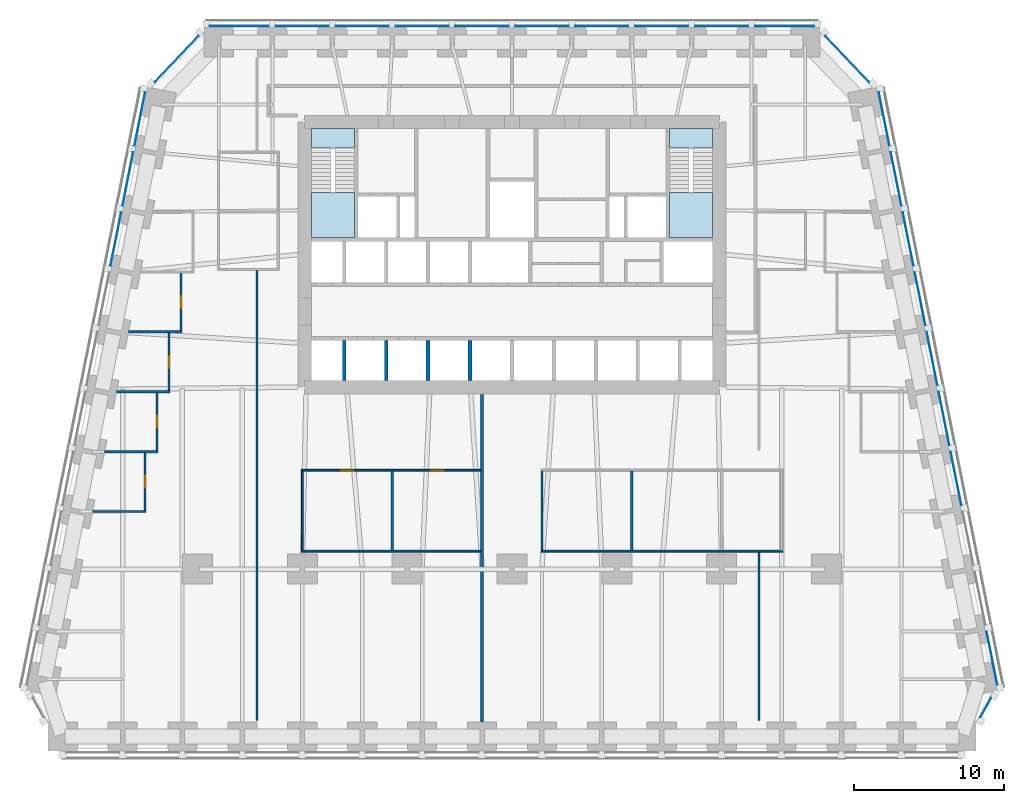
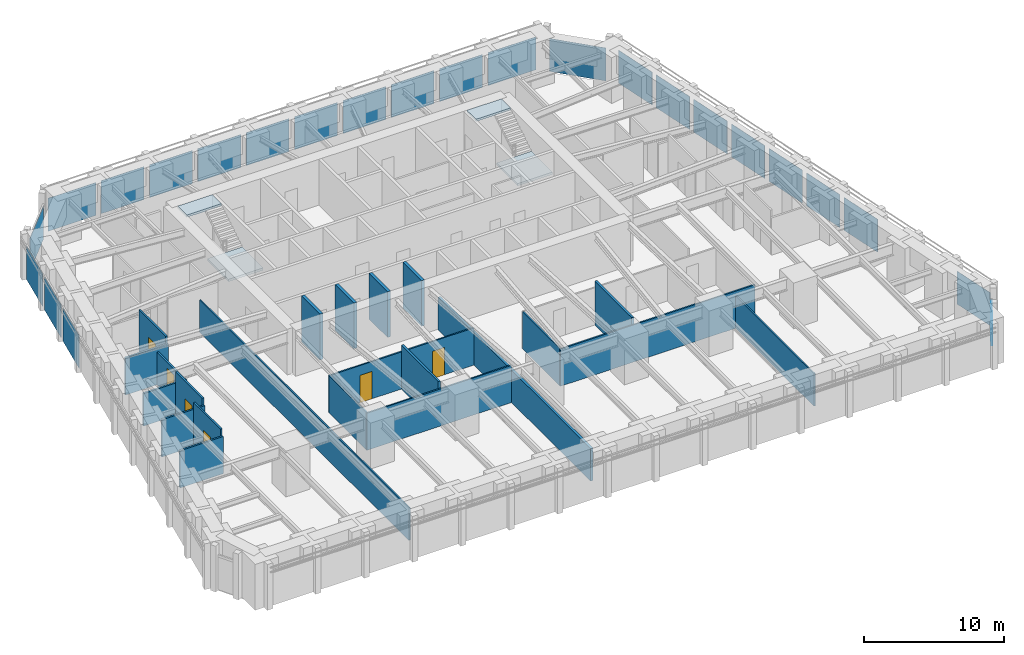
# One storey, part 5 of 10: 24 plates, 22 walls, 6 doors, 4 slabs, 6 openings, 8 elements without a shape of their own.
"""IFC4 building model written with IfcOpenShell, lengths in metres."""

from ifc_helpers import new_model, si_unit, direction, frame, frame_2d, origin, origin_2d, place, context, subcontext, project, spatial, polyline, rectangle, outline, extrude, material, layer, layer_set, type_object, element, fill, aggregate, save


model = new_model("IFC4")

# Units and contexts
model_context = context("Model", 3, precision=1e-05, world=origin(), true_north=direction((0.0, 1.0)))
body_context = subcontext(model_context, "Body", "Model", "MODEL_VIEW")
ifc_project = project(units=[si_unit("LENGTHUNIT", "METRE"), si_unit("AREAUNIT", "SQUARE_METRE"), si_unit("VOLUMEUNIT", "CUBIC_METRE"), si_unit("PLANEANGLEUNIT", "RADIAN"), si_unit("MASSUNIT", "GRAM", prefix="KILO")], contexts=[model_context])

# Site, building, storey
site_placement = place(None, origin())
site = spatial("IfcSite", under=ifc_project, at=site_placement, CompositionType="ELEMENT")
building_placement = place(site_placement, origin())
building = spatial("IfcBuilding", under=site, at=building_placement, Name="Isbrekke Arena Tower", CompositionType="ELEMENT")
storey_placement = place(building_placement, frame((0.0, 0.0, 64.0)))
storey = spatial("IfcBuildingStorey", under=building, at=storey_placement, Name="L13", CompositionType="ELEMENT", Elevation=64.0)

# Curtain wall, plate
ifc_material_1 = material(Name="Glazed aluminium curtain wall", Category="aluminium")
curtain_wall_type = type_object("IfcCurtainWallType", Name="CWL TOWER CURTAIN WALL LOW ZONE", PredefinedType="USERDEFINED", material=ifc_material_1)
curtain_wall_1_placement = place(storey_placement, origin())
curtain_wall_1 = element("IfcCurtainWall", 1, at=curtain_wall_1_placement, inside=storey, type_object=curtain_wall_type, Name="CWL curtain wall L13-SE", ObjectType="TOWER CURTAIN WALL LOW ZONE", PredefinedType="USERDEFINED")
ifc_material_2 = material(Name="Triple-glazed clear glass unit", Category="glass")
ifc_layer_1 = layer(ifc_material_2, 0.031982421875)
ifc_layer_set_1 = layer_set([ifc_layer_1], Name="CWL-P VISION PANEL")
plate_type = type_object("IfcPlateType", Name="CWL-P VISION PANEL", PredefinedType="CURTAIN_PANEL", material=ifc_layer_set_1)
plate_1_placement = place(storey_placement, frame((31.62744140625, -15.24853515625, 0.02001953125), z_axis=(0.0, 0.0, 1.0), x_axis=(0.481918749773, 0.876215908676, 0.0)))
plate_1 = element("IfcPlate", 2, at=plate_1_placement, type_object=plate_type, Name="CWL-P panel 1", PredefinedType="CURTAIN_PANEL", context=body_context, shape_type="SweptSolid", body=[
    extrude(rectangle(XDim=1.453369140625, YDim=0.031982421875, at=origin_2d()), origin(), (0.0, 0.0, 1.0), 2.8798828125),
])
aggregate(curtain_wall_1, [plate_1])

# Curtain wall, plates
curtain_wall_2_placement = place(storey_placement, origin())
curtain_wall_2 = element("IfcCurtainWall", 3, at=curtain_wall_2_placement, inside=storey, type_object=curtain_wall_type, Name="CWL curtain wall L13-E", ObjectType="TOWER CURTAIN WALL LOW ZONE", PredefinedType="USERDEFINED")
plate_2_placement = place(storey_placement, frame((32.045166015625, -11.950927734375, 0.02001953125), z_axis=(0.0, 0.0, 1.0), x_axis=(-0.196116135138, 0.980580675691, 0.0)))
plate_2 = element("IfcPlate", 4, at=plate_2_placement, type_object=plate_type, Name="CWL-P panel 1", PredefinedType="CURTAIN_PANEL", context=body_context, shape_type="SweptSolid", body=[
    extrude(rectangle(XDim=3.629150390625, YDim=0.031982421875, at=origin_2d()), origin(), (0.0, 0.0, 1.0), 2.8798828125),
])
plate_3_placement = place(storey_placement, frame((29.645263671875, 0.049072265625, 0.02001953125), z_axis=(0.0, 0.0, 1.0), x_axis=(-0.196116135138, 0.980580675691, 0.0)))
plate_3 = element("IfcPlate", 5, at=plate_3_placement, type_object=plate_type, Name="CWL-P panel 4", PredefinedType="CURTAIN_PANEL", context=body_context, shape_type="SweptSolid", body=[
    extrude(rectangle(XDim=3.629150390625, YDim=0.031982421875, at=origin_2d()), origin(), (0.0, 0.0, 1.0), 2.8798828125),
])
plate_4_placement = place(storey_placement, frame((28.84521484375, 4.049072265625, 0.02001953125), z_axis=(0.0, 0.0, 1.0), x_axis=(-0.196116135138, 0.980580675691, 0.0)))
plate_4 = element("IfcPlate", 6, at=plate_4_placement, type_object=plate_type, Name="CWL-P panel 5", PredefinedType="CURTAIN_PANEL", context=body_context, shape_type="SweptSolid", body=[
    extrude(rectangle(XDim=3.629150390625, YDim=0.031982421875, at=origin_2d()), origin(), (0.0, 0.0, 1.0), 2.8798828125),
])
plate_5_placement = place(storey_placement, frame((28.045166015625, 8.049072265625, 0.02001953125), z_axis=(0.0, 0.0, 1.0), x_axis=(-0.196116135138, 0.980580675691, 0.0)))
plate_5 = element("IfcPlate", 7, at=plate_5_placement, type_object=plate_type, Name="CWL-P panel 6", PredefinedType="CURTAIN_PANEL", context=body_context, shape_type="SweptSolid", body=[
    extrude(rectangle(XDim=3.629150390625, YDim=0.031982421875, at=origin_2d()), origin(), (0.0, 0.0, 1.0), 2.8798828125),
])
plate_6_placement = place(storey_placement, frame((27.2451171875, 12.049072265625, 0.02001953125), z_axis=(0.0, 0.0, 1.0), x_axis=(-0.196116135138, 0.980580675691, 0.0)))
plate_6 = element("IfcPlate", 8, at=plate_6_placement, type_object=plate_type, Name="CWL-P panel 7", PredefinedType="CURTAIN_PANEL", context=body_context, shape_type="SweptSolid", body=[
    extrude(rectangle(XDim=3.629150390625, YDim=0.031982421875, at=origin_2d()), origin(), (0.0, 0.0, 1.0), 2.8798828125),
])
plate_7_placement = place(storey_placement, frame((26.445068359375, 16.049072265625, 0.02001953125), z_axis=(0.0, 0.0, 1.0), x_axis=(-0.196116135138, 0.980580675691, 0.0)))
plate_7 = element("IfcPlate", 9, at=plate_7_placement, type_object=plate_type, Name="CWL-P panel 8", PredefinedType="CURTAIN_PANEL", context=body_context, shape_type="SweptSolid", body=[
    extrude(rectangle(XDim=3.629150390625, YDim=0.031982421875, at=origin_2d()), origin(), (0.0, 0.0, 1.0), 2.8798828125),
])
plate_8_placement = place(storey_placement, frame((25.645263671875, 20.049072265625, 0.02001953125), z_axis=(0.0, 0.0, 1.0), x_axis=(-0.196116135138, 0.980580675691, 0.0)))
plate_8 = element("IfcPlate", 10, at=plate_8_placement, type_object=plate_type, Name="CWL-P panel 9", PredefinedType="CURTAIN_PANEL", context=body_context, shape_type="SweptSolid", body=[
    extrude(rectangle(XDim=3.629150390625, YDim=0.031982421875, at=origin_2d()), origin(), (0.0, 0.0, 1.0), 2.8798828125),
])
plate_9_placement = place(storey_placement, frame((24.84521484375, 24.049072265625, 0.02001953125), z_axis=(0.0, 0.0, 1.0), x_axis=(-0.196116135138, 0.980580675691, 0.0)))
plate_9 = element("IfcPlate", 11, at=plate_9_placement, type_object=plate_type, Name="CWL-P panel 10", PredefinedType="CURTAIN_PANEL", context=body_context, shape_type="SweptSolid", body=[
    extrude(rectangle(XDim=3.629150390625, YDim=0.031982421875, at=origin_2d()), origin(), (0.0, 0.0, 1.0), 2.8798828125),
])
aggregate(curtain_wall_2, [plate_2, plate_3, plate_4, plate_5, plate_6, plate_7, plate_8, plate_9])

# Curtain wall, plate
curtain_wall_3_placement = place(storey_placement, origin())
curtain_wall_3 = element("IfcCurtainWall", 12, at=curtain_wall_3_placement, inside=storey, type_object=curtain_wall_type, Name="CWL curtain wall L13-EN", ObjectType="TOWER CURTAIN WALL LOW ZONE", PredefinedType="USERDEFINED")
plate_10_placement = place(storey_placement, frame((22.386474609375, 28.05419921875, 0.02001953125), z_axis=(0.0, 0.0, 1.0), x_axis=(-0.68874946192, 0.72499943359, 0.0)))
plate_10 = element("IfcPlate", 13, at=plate_10_placement, type_object=plate_type, Name="CWL-P panel 1", PredefinedType="CURTAIN_PANEL", context=body_context, shape_type="SweptSolid", body=[
    extrude(rectangle(XDim=4.22900390625, YDim=0.031982421875, at=origin_2d()), origin(), (0.0, 0.0, 1.0), 2.8798828125),
])
aggregate(curtain_wall_3, [plate_10])

# Curtain wall, plates
curtain_wall_4_placement = place(storey_placement, origin())
curtain_wall_4 = element("IfcCurtainWall", 14, at=curtain_wall_4_placement, inside=storey, type_object=curtain_wall_type, Name="CWL curtain wall L13-N", ObjectType="TOWER CURTAIN WALL LOW ZONE", PredefinedType="USERDEFINED")
plate_11_placement = place(storey_placement, frame((18.199951171875, 30.25, 0.02001953125), z_axis=(0.0, 0.0, 1.0), x_axis=(-1.0, 0.0, 0.0)))
plate_11 = element("IfcPlate", 15, at=plate_11_placement, type_object=plate_type, Name="CWL-P panel 1", PredefinedType="CURTAIN_PANEL", context=body_context, shape_type="SweptSolid", body=[
    extrude(rectangle(XDim=3.949951171875, YDim=0.031982421875, at=origin_2d()), origin(), (0.0, 0.0, 1.0), 2.8798828125),
])
plate_12_placement = place(storey_placement, frame((14.0, 30.25, 0.02001953125), z_axis=(0.0, 0.0, 1.0), x_axis=(-1.0, 0.0, 0.0)))
plate_12 = element("IfcPlate", 16, at=plate_12_placement, type_object=plate_type, Name="CWL-P panel 2", PredefinedType="CURTAIN_PANEL", context=body_context, shape_type="SweptSolid", body=[
    extrude(rectangle(XDim=3.550048828125, YDim=0.031982421875, at=origin_2d()), origin(), (0.0, 0.0, 1.0), 2.8798828125),
])
plate_13_placement = place(storey_placement, frame((10.0, 30.25, 0.02001953125), z_axis=(0.0, 0.0, 1.0), x_axis=(-1.0, 0.0, 0.0)))
plate_13 = element("IfcPlate", 17, at=plate_13_placement, type_object=plate_type, Name="CWL-P panel 3", PredefinedType="CURTAIN_PANEL", context=body_context, shape_type="SweptSolid", body=[
    extrude(rectangle(XDim=3.550048828125, YDim=0.031982421875, at=origin_2d()), origin(), (0.0, 0.0, 1.0), 2.8798828125),
])
plate_14_placement = place(storey_placement, frame((6.0, 30.25, 0.02001953125), z_axis=(0.0, 0.0, 1.0), x_axis=(-1.0, 0.0, 0.0)))
plate_14 = element("IfcPlate", 18, at=plate_14_placement, type_object=plate_type, Name="CWL-P panel 4", PredefinedType="CURTAIN_PANEL", context=body_context, shape_type="SweptSolid", body=[
    extrude(rectangle(XDim=3.550048828125, YDim=0.031982421875, at=origin_2d()), origin(), (0.0, 0.0, 1.0), 2.8798828125),
])
plate_15_placement = place(storey_placement, frame((2.0, 30.25, 0.02001953125), z_axis=(0.0, 0.0, 1.0), x_axis=(-1.0, 0.0, 0.0)))
plate_15 = element("IfcPlate", 19, at=plate_15_placement, type_object=plate_type, Name="CWL-P panel 5", PredefinedType="CURTAIN_PANEL", context=body_context, shape_type="SweptSolid", body=[
    extrude(rectangle(XDim=3.550048828125, YDim=0.031982421875, at=origin_2d()), origin(), (0.0, 0.0, 1.0), 2.8798828125),
])
plate_16_placement = place(storey_placement, frame((-2.0, 30.25, 0.02001953125), z_axis=(0.0, 0.0, 1.0), x_axis=(-1.0, 0.0, 0.0)))
plate_16 = element("IfcPlate", 20, at=plate_16_placement, type_object=plate_type, Name="CWL-P panel 6", PredefinedType="CURTAIN_PANEL", context=body_context, shape_type="SweptSolid", body=[
    extrude(rectangle(XDim=3.550048828125, YDim=0.031982421875, at=origin_2d()), origin(), (0.0, 0.0, 1.0), 2.8798828125),
])
plate_17_placement = place(storey_placement, frame((-6.0, 30.25, 0.02001953125), z_axis=(0.0, 0.0, 1.0), x_axis=(-1.0, 0.0, 0.0)))
plate_17 = element("IfcPlate", 21, at=plate_17_placement, type_object=plate_type, Name="CWL-P panel 7", PredefinedType="CURTAIN_PANEL", context=body_context, shape_type="SweptSolid", body=[
    extrude(rectangle(XDim=3.550048828125, YDim=0.031982421875, at=origin_2d()), origin(), (0.0, 0.0, 1.0), 2.8798828125),
])
plate_18_placement = place(storey_placement, frame((-10.0, 30.25, 0.02001953125), z_axis=(0.0, 0.0, 1.0), x_axis=(-1.0, 0.0, 0.0)))
plate_18 = element("IfcPlate", 22, at=plate_18_placement, type_object=plate_type, Name="CWL-P panel 8", PredefinedType="CURTAIN_PANEL", context=body_context, shape_type="SweptSolid", body=[
    extrude(rectangle(XDim=3.550048828125, YDim=0.031982421875, at=origin_2d()), origin(), (0.0, 0.0, 1.0), 2.8798828125),
])
plate_19_placement = place(storey_placement, frame((-14.0, 30.25, 0.02001953125), z_axis=(0.0, 0.0, 1.0), x_axis=(-1.0, 0.0, 0.0)))
plate_19 = element("IfcPlate", 23, at=plate_19_placement, type_object=plate_type, Name="CWL-P panel 9", PredefinedType="CURTAIN_PANEL", context=body_context, shape_type="SweptSolid", body=[
    extrude(rectangle(XDim=3.550048828125, YDim=0.031982421875, at=origin_2d()), origin(), (0.0, 0.0, 1.0), 2.8798828125),
])
plate_20_placement = place(storey_placement, frame((-18.199951171875, 30.25, 0.02001953125), z_axis=(0.0, 0.0, 1.0), x_axis=(-1.0, 0.0, 0.0)))
plate_20 = element("IfcPlate", 24, at=plate_20_placement, type_object=plate_type, Name="CWL-P panel 10", PredefinedType="CURTAIN_PANEL", context=body_context, shape_type="SweptSolid", body=[
    extrude(rectangle(XDim=3.949951171875, YDim=0.031982421875, at=origin_2d()), origin(), (0.0, 0.0, 1.0), 2.8798828125),
])
aggregate(curtain_wall_4, [plate_11, plate_12, plate_13, plate_14, plate_15, plate_16, plate_17, plate_18, plate_19, plate_20])

# Curtain wall, plate
curtain_wall_5_placement = place(storey_placement, origin())
curtain_wall_5 = element("IfcCurtainWall", 25, at=curtain_wall_5_placement, inside=storey, type_object=curtain_wall_type, Name="CWL curtain wall L13-NW", ObjectType="TOWER CURTAIN WALL LOW ZONE", PredefinedType="USERDEFINED")
plate_21_placement = place(storey_placement, frame((-22.38623046875, 28.054443359375, 0.02001953125), z_axis=(0.0, 0.0, 1.0), x_axis=(-0.68874946192, -0.72499943359, 0.0)))
plate_21 = element("IfcPlate", 26, at=plate_21_placement, type_object=plate_type, Name="CWL-P panel 1", PredefinedType="CURTAIN_PANEL", context=body_context, shape_type="SweptSolid", body=[
    extrude(rectangle(XDim=4.22802734375, YDim=0.031982421875, at=origin_2d()), origin(), (0.0, 0.0, 1.0), 2.8798828125),
])
aggregate(curtain_wall_5, [plate_21])

# Curtain wall, plates
curtain_wall_6_placement = place(storey_placement, origin())
curtain_wall_6 = element("IfcCurtainWall", 27, at=curtain_wall_6_placement, inside=storey, type_object=curtain_wall_type, Name="CWL curtain wall L13-W", ObjectType="TOWER CURTAIN WALL LOW ZONE", PredefinedType="USERDEFINED")
plate_22_placement = place(storey_placement, frame((-24.84521484375, 24.049072265625, 0.02001953125), z_axis=(0.0, 0.0, 1.0), x_axis=(-0.196116135138, -0.980580675691, 0.0)))
plate_22 = element("IfcPlate", 28, at=plate_22_placement, type_object=plate_type, Name="CWL-P panel 1", PredefinedType="CURTAIN_PANEL", context=body_context, shape_type="SweptSolid", body=[
    extrude(rectangle(XDim=3.629150390625, YDim=0.031982421875, at=origin_2d()), origin(), (0.0, 0.0, 1.0), 2.8798828125),
])
plate_23_placement = place(storey_placement, frame((-25.645263671875, 20.049072265625, 0.02001953125), z_axis=(0.0, 0.0, 1.0), x_axis=(-0.196116135138, -0.980580675691, 0.0)))
plate_23 = element("IfcPlate", 29, at=plate_23_placement, type_object=plate_type, Name="CWL-P panel 2", PredefinedType="CURTAIN_PANEL", context=body_context, shape_type="SweptSolid", body=[
    extrude(rectangle(XDim=3.629150390625, YDim=0.031982421875, at=origin_2d()), origin(), (0.0, 0.0, 1.0), 2.8798828125),
])
plate_24_placement = place(storey_placement, frame((-26.445068359375, 16.049072265625, 0.02001953125), z_axis=(0.0, 0.0, 1.0), x_axis=(-0.196116135138, -0.980580675691, 0.0)))
plate_24 = element("IfcPlate", 30, at=plate_24_placement, type_object=plate_type, Name="CWL-P panel 3", PredefinedType="CURTAIN_PANEL", context=body_context, shape_type="SweptSolid", body=[
    extrude(rectangle(XDim=3.629150390625, YDim=0.031982421875, at=origin_2d()), origin(), (0.0, 0.0, 1.0), 2.8798828125),
])
aggregate(curtain_wall_6, [plate_22, plate_23, plate_24])

# Stair, slabs
ifc_material_3 = material(Name="Concrete B45 (C45/55) precast", Category="concrete")
stair_type = type_object("IfcStairType", Name="ST40 STAIR 1300 WIDE, 24 RISERS 167", PredefinedType="HALF_TURN_STAIR", material=ifc_material_3)
stair_1_placement = place(storey_placement, origin())
stair_1 = element("IfcStair", 31, at=stair_1_placement, inside=storey, type_object=stair_type, Name="ST1 stair L13", PredefinedType="HALF_TURN_STAIR")
ifc_material_4 = material(Name="Concrete B35 (C35/45)", Category="concrete")
ifc_layer_2 = layer(ifc_material_4, 0.199951171875)
ifc_layer_set_2 = layer_set([ifc_layer_2], Name="SL1 STAIR LANDING 200")
slab_type = type_object("IfcSlabType", Name="SL1 STAIR LANDING 200", PredefinedType="LANDING", material=ifc_layer_set_2)
slab_1_placement = place(storey_placement, frame((0.0, 0.0, 1.800048828125)))
slab_1 = element("IfcSlab", 32, at=slab_1_placement, type_object=slab_type, Name="ST1 landing 1", PredefinedType="LANDING", context=body_context, shape_type="SweptSolid", body=[
    extrude(outline(polyline([(-13.39990234375, 16.125), (-10.52490234375, 16.125), (-10.52490234375, 19.1298828125), (-13.39990234375, 19.1298828125), (-13.39990234375, 16.125)])), origin(), (0.0, 0.0, 1.0), 0.199951171875),
])
slab_2_placement = place(storey_placement, frame((0.0, 0.0, 3.800048828125)))
slab_2 = element("IfcSlab", 33, at=slab_2_placement, type_object=slab_type, Name="ST1 landing 2", PredefinedType="LANDING", context=body_context, shape_type="SweptSolid", body=[
    extrude(outline(polyline([(-13.39990234375, 22.10009765625), (-10.52490234375, 22.10009765625), (-10.52490234375, 23.39990234375), (-13.39990234375, 23.39990234375), (-13.39990234375, 22.10009765625)])), origin(), (0.0, 0.0, 1.0), 0.199951171875),
])
aggregate(stair_1, [slab_1, slab_2])

stair_2_placement = place(storey_placement, origin())
stair_2 = element("IfcStair", 34, at=stair_2_placement, inside=storey, type_object=stair_type, Name="ST2 stair L13", PredefinedType="HALF_TURN_STAIR")
slab_3_placement = place(storey_placement, frame((0.0, 0.0, 1.800048828125)))
slab_3 = element("IfcSlab", 35, at=slab_3_placement, type_object=slab_type, Name="ST2 landing 1", PredefinedType="LANDING", context=body_context, shape_type="SweptSolid", body=[
    extrude(outline(polyline([(10.52490234375, 16.125), (13.39990234375, 16.125), (13.39990234375, 19.1298828125), (10.52490234375, 19.1298828125), (10.52490234375, 16.125)])), origin(), (0.0, 0.0, 1.0), 0.199951171875),
])
slab_4_placement = place(storey_placement, frame((0.0, 0.0, 3.800048828125)))
slab_4 = element("IfcSlab", 36, at=slab_4_placement, type_object=slab_type, Name="ST2 landing 2", PredefinedType="LANDING", context=body_context, shape_type="SweptSolid", body=[
    extrude(outline(polyline([(10.52490234375, 22.10009765625), (13.39990234375, 22.10009765625), (13.39990234375, 23.39990234375), (10.52490234375, 23.39990234375), (10.52490234375, 22.10009765625)])), origin(), (0.0, 0.0, 1.0), 0.199951171875),
])
aggregate(stair_2, [slab_3, slab_4])

# Walls
ifc_material_5 = material(Name="Concrete B45 (C45/55)", Category="concrete")
ifc_layer_3 = layer(ifc_material_5, 0.25)
ifc_layer_set_3 = layer_set([ifc_layer_3], Name="CW6 SHAFT WALL 250")
wall_type_1 = type_object("IfcWallType", Name="CW6 SHAFT WALL 250", PredefinedType="SHEAR", material=ifc_layer_set_3)
for number, where, z_axis, x_axis, name in (
    (37, (-11.199951171875, 6.60009765625, 0.0), (0.0, 0.0, 1.0), (0.0, 1.0, 0.0), "Core wall SS01 L13"),
    (38, (-8.39990234375, 6.60009765625, 0.0), (0.0, 0.0, 1.0), (0.0, 1.0, 0.0), "Core wall SS02 L13"),
    (39, (-5.60009765625, 6.60009765625, 0.0), (0.0, 0.0, 1.0), (0.0, 1.0, 0.0), "Core wall SS03 L13"),
    (40, (-2.800048828125, 6.60009765625, 0.0), (0.0, 0.0, 1.0), (0.0, 1.0, 0.0), "Core wall SS04 L13"),
):
    element("IfcWall", number, at=place(storey_placement, frame(where, z_axis=z_axis, x_axis=x_axis)), inside=storey, type_object=wall_type_1, Name=name, PredefinedType="SHEAR", context=body_context, shape_type="SweptSolid", body=[
        extrude(rectangle(XDim=2.6748046875, YDim=0.25, at=frame_2d((1.33740234375, 0.0))), origin(), (0.0, 0.0, 1.0), 4.0),
    ])
ifc_material_6 = material(Name="Gypsum board partition on steel studs", Category="steel")
ifc_layer_4 = layer(ifc_material_6, 0.14990234375)
ifc_layer_set_4 = layer_set([ifc_layer_4], Name="IW1 PARTITION 150")
wall_type_2 = type_object("IfcWallType", Name="IW1 PARTITION 150", PredefinedType="PARTITIONING", material=ifc_layer_set_4)
for number, where, z_axis, x_axis, name in (
    (41, (-27.996337890625, -2.159912109375, 0.0), (0.0, 0.0, 1.0), (1.0, 0.0, 0.0), "IW1 partition 150 L13"),
    (42, (-27.1962890625, 1.840087890625, 0.0), (0.0, 0.0, 1.0), (1.0, 0.0, 0.0), "IW1 partition 150 L13"),
):
    element("IfcWall", number, at=place(storey_placement, frame(where, z_axis=z_axis, x_axis=x_axis)), inside=storey, type_object=wall_type_2, Name=name, PredefinedType="PARTITIONING", context=body_context, shape_type="SweptSolid", body=[
        extrude(rectangle(XDim=3.5712890625, YDim=0.14990234375, at=frame_2d((1.78564453125, 0.0))), origin(), (0.0, 0.0, 1.0), 3.25),
    ])
wall_1_placement = place(storey_placement, frame((-26.396484375, 5.840087890625, 0.0), z_axis=(0.0, 0.0, 1.0), x_axis=(1.0, 0.0, 0.0)))
element("IfcWall", 43, at=wall_1_placement, inside=storey, type_object=wall_type_2, Name="IW1 partition 150 L13", PredefinedType="PARTITIONING", context=body_context, shape_type="SweptSolid", body=[
    extrude(rectangle(XDim=3.571533203125, YDim=0.14990234375, at=frame_2d((1.78564453125, 0.0))), origin(), (0.0, 0.0, 1.0), 2.842041015625),
])
wall_2_placement = place(storey_placement, frame((-25.596435546875, 9.840087890625, 0.0), z_axis=(0.0, 0.0, 1.0), x_axis=(1.0, 0.0, 0.0)))
element("IfcWall", 44, at=wall_2_placement, inside=storey, type_object=wall_type_2, Name="IW1 partition 150 L13", PredefinedType="PARTITIONING", context=body_context, shape_type="SweptSolid", body=[
    extrude(rectangle(XDim=3.571533203125, YDim=0.14990234375, at=frame_2d((1.78564453125, 0.0))), origin(), (0.0, 0.0, 1.0), 3.25),
])

# Wall, opening, door
wall_3_placement = place(storey_placement, frame((-24.5, -2.0849609375, 0.0), z_axis=(0.0, 0.0, 1.0), x_axis=(0.0, 1.0, 0.0)))
wall_3 = element("IfcWall", 45, at=wall_3_placement, inside=storey, type_object=wall_type_2, Name="IW1 partition 150 L13", PredefinedType="PARTITIONING", context=body_context, shape_type="SweptSolid", body=[
    extrude(rectangle(XDim=3.849853515625, YDim=0.14990234375, at=frame_2d((1.9248046875, 0.0))), origin(), (0.0, 0.0, 1.0), 3.85009765625),
])
opening_1_placement = place(wall_3_placement, frame((1.425048828125, 0.0, 0.0)))
opening_1 = element("IfcOpeningElement", 46, at=opening_1_placement, cuts=wall_3, Name="Opening D10", PredefinedType="OPENING", context=body_context, shape_type="SweptSolid", body=[
    extrude(rectangle(XDim=1.0, YDim=2.300048828125, at=frame_2d((0.5, 1.14990234375))), frame((0.0, 0.08984375, 0.0), z_axis=(0.0, -1.0, 0.0), x_axis=(1.0, 0.0, 0.0)), (0.0, 0.0, 1.0), 0.1796875),
])
ifc_material_7 = material(Name="Timber door", Category="wood")
door_type_1 = type_object("IfcDoorType", Name="D10 OFFICE DOOR 1000 x 2300", OperationType="SINGLE_SWING_LEFT", PredefinedType="DOOR", material=ifc_material_7)
door_1_placement = place(opening_1_placement, origin())
door_1 = element("IfcDoor", 47, at=door_1_placement, inside=storey, type_object=door_type_1, Name="D10 office door L13", OperationType="SINGLE_SWING_LEFT", OverallHeight=2.300048828125, OverallWidth=1.0, PredefinedType="DOOR", context=body_context, shape_type="SweptSolid", body=[
    extrude(rectangle(XDim=1.0, YDim=2.300048828125, at=frame_2d((0.5, 1.14990234375))), frame((0.0, 0.07470703125, 0.0), z_axis=(0.0, -1.0, 0.0), x_axis=(1.0, 0.0, 0.0)), (0.0, 0.0, 1.0), 0.1494140625),
])
fill(opening_1, door_1)

wall_4_placement = place(storey_placement, frame((-23.699951171875, 1.9150390625, 0.0), z_axis=(0.0, 0.0, 1.0), x_axis=(0.0, 1.0, 0.0)))
wall_4 = element("IfcWall", 48, at=wall_4_placement, inside=storey, type_object=wall_type_2, Name="IW1 partition 150 L13", PredefinedType="PARTITIONING", context=body_context, shape_type="SweptSolid", body=[
    extrude(rectangle(XDim=3.849853515625, YDim=0.14990234375, at=frame_2d((1.9248046875, 0.0))), origin(), (0.0, 0.0, 1.0), 3.85009765625),
])
opening_2_placement = place(wall_4_placement, frame((1.425048828125, 0.0, 0.0)))
opening_2 = element("IfcOpeningElement", 49, at=opening_2_placement, cuts=wall_4, Name="Opening D10", PredefinedType="OPENING", context=body_context, shape_type="SweptSolid", body=[
    extrude(rectangle(XDim=1.0, YDim=2.300048828125, at=frame_2d((0.5, 1.14990234375))), frame((0.0, 0.08984375, 0.0), z_axis=(0.0, -1.0, 0.0), x_axis=(1.0, 0.0, 0.0)), (0.0, 0.0, 1.0), 0.1796875),
])
door_2_placement = place(opening_2_placement, origin())
door_2 = element("IfcDoor", 50, at=door_2_placement, inside=storey, type_object=door_type_1, Name="D10 office door L13", OperationType="SINGLE_SWING_LEFT", OverallHeight=2.300048828125, OverallWidth=1.0, PredefinedType="DOOR", context=body_context, shape_type="SweptSolid", body=[
    extrude(rectangle(XDim=1.0, YDim=2.300048828125, at=frame_2d((0.5, 1.14990234375))), frame((0.0, 0.07470703125, 0.0), z_axis=(0.0, -1.0, 0.0), x_axis=(1.0, 0.0, 0.0)), (0.0, 0.0, 1.0), 0.1494140625),
])
fill(opening_2, door_2)

wall_5_placement = place(storey_placement, frame((-22.89990234375, 5.9150390625, 0.0), z_axis=(0.0, 0.0, 1.0), x_axis=(0.0, 1.0, 0.0)))
wall_5 = element("IfcWall", 51, at=wall_5_placement, inside=storey, type_object=wall_type_2, Name="IW1 partition 150 L13", PredefinedType="PARTITIONING", context=body_context, shape_type="SweptSolid", body=[
    extrude(rectangle(XDim=3.849853515625, YDim=0.14990234375, at=frame_2d((1.9248046875, 0.0))), origin(), (0.0, 0.0, 1.0), 2.842041015625),
])
opening_3_placement = place(wall_5_placement, frame((1.425048828125, 0.0, 0.0)))
opening_3 = element("IfcOpeningElement", 52, at=opening_3_placement, cuts=wall_5, Name="Opening D10", PredefinedType="OPENING", context=body_context, shape_type="SweptSolid", body=[
    extrude(rectangle(XDim=1.0, YDim=2.300048828125, at=frame_2d((0.5, 1.14990234375))), frame((0.0, 0.08984375, 0.0), z_axis=(0.0, -1.0, 0.0), x_axis=(1.0, 0.0, 0.0)), (0.0, 0.0, 1.0), 0.1796875),
])
door_3_placement = place(opening_3_placement, origin())
door_3 = element("IfcDoor", 53, at=door_3_placement, inside=storey, type_object=door_type_1, Name="D10 office door L13", OperationType="SINGLE_SWING_LEFT", OverallHeight=2.300048828125, OverallWidth=1.0, PredefinedType="DOOR", context=body_context, shape_type="SweptSolid", body=[
    extrude(rectangle(XDim=1.0, YDim=2.300048828125, at=frame_2d((0.5, 1.14990234375))), frame((0.0, 0.07470703125, 0.0), z_axis=(0.0, -1.0, 0.0), x_axis=(1.0, 0.0, 0.0)), (0.0, 0.0, 1.0), 0.1494140625),
])
fill(opening_3, door_3)

wall_6_placement = place(storey_placement, frame((-22.10009765625, 9.9150390625, 0.0), z_axis=(0.0, 0.0, 1.0), x_axis=(0.0, 1.0, 0.0)))
wall_6 = element("IfcWall", 54, at=wall_6_placement, inside=storey, type_object=wall_type_2, Name="IW1 partition 150 L13", PredefinedType="PARTITIONING", context=body_context, shape_type="SweptSolid", body=[
    extrude(rectangle(XDim=3.849853515625, YDim=0.14990234375, at=frame_2d((1.9248046875, 0.0))), origin(), (0.0, 0.0, 1.0), 3.85009765625),
])
opening_4_placement = place(wall_6_placement, frame((1.425048828125, 0.0, 0.0)))
opening_4 = element("IfcOpeningElement", 55, at=opening_4_placement, cuts=wall_6, Name="Opening D10", PredefinedType="OPENING", context=body_context, shape_type="SweptSolid", body=[
    extrude(rectangle(XDim=1.0, YDim=2.300048828125, at=frame_2d((0.5, 1.14990234375))), frame((0.0, 0.08984375, 0.0), z_axis=(0.0, -1.0, 0.0), x_axis=(1.0, 0.0, 0.0)), (0.0, 0.0, 1.0), 0.1796875),
])
door_4_placement = place(opening_4_placement, origin())
door_4 = element("IfcDoor", 56, at=door_4_placement, inside=storey, type_object=door_type_1, Name="D10 office door L13", OperationType="SINGLE_SWING_LEFT", OverallHeight=2.300048828125, OverallWidth=1.0, PredefinedType="DOOR", context=body_context, shape_type="SweptSolid", body=[
    extrude(rectangle(XDim=1.0, YDim=2.300048828125, at=frame_2d((0.5, 1.14990234375))), frame((0.0, 0.07470703125, 0.0), z_axis=(0.0, -1.0, 0.0), x_axis=(1.0, 0.0, 0.0)), (0.0, 0.0, 1.0), 0.1494140625),
])
fill(opening_4, door_4)

# Walls
ifc_material_8 = material(Name="Frameless glazed partition, laminated acoustic glass", Category="glass")
ifc_layer_5 = layer(ifc_material_8, 0.1201171875)
ifc_layer_set_5 = layer_set([ifc_layer_5], Name="IW2 GLAZED PARTITION 120")
wall_type_3 = type_object("IfcWallType", Name="IW2 GLAZED PARTITION 120", PredefinedType="PARTITIONING", material=ifc_layer_set_5)
wall_7_placement = place(storey_placement, frame((-14.06005859375, -4.800048828125, 0.0), z_axis=(0.0, 0.0, 1.0), x_axis=(1.0, 0.0, 0.0)))
element("IfcWall", 57, at=wall_7_placement, inside=storey, type_object=wall_type_3, Name="IW2 glazed partition 120 L13", PredefinedType="PARTITIONING", context=body_context, shape_type="SweptSolid", body=[
    extrude(rectangle(XDim=11.9599609375, YDim=0.1201171875, at=frame_2d((5.97998046875, 0.0))), origin(), (0.0, 0.0, 1.0), 3.25),
])
wall_8_placement = place(storey_placement, frame((1.93994140625, -4.800048828125, 0.0), z_axis=(0.0, 0.0, 1.0), x_axis=(1.0, 0.0, 0.0)))
element("IfcWall", 58, at=wall_8_placement, inside=storey, type_object=wall_type_3, Name="IW2 glazed partition 120 L13", PredefinedType="PARTITIONING", context=body_context, shape_type="SweptSolid", body=[
    extrude(rectangle(XDim=16.1201171875, YDim=0.1201171875, at=frame_2d((8.06005859375, 0.0))), origin(), (0.0, 0.0, 1.0), 3.25),
])

# Wall, openings, doors
wall_9_placement = place(storey_placement, frame((-14.06005859375, 0.60009765625, 0.0), z_axis=(0.0, 0.0, 1.0), x_axis=(1.0, 0.0, 0.0)))
wall_9 = element("IfcWall", 59, at=wall_9_placement, inside=storey, type_object=wall_type_3, Name="IW2 glazed partition 120 L13", PredefinedType="PARTITIONING", context=body_context, shape_type="SweptSolid", body=[
    extrude(rectangle(XDim=11.9599609375, YDim=0.1201171875, at=frame_2d((5.97998046875, 0.0))), origin(), (0.0, 0.0, 1.0), 3.25),
])
opening_5_placement = place(wall_9_placement, frame((2.56005859375, 0.0, 0.0)))
opening_5 = element("IfcOpeningElement", 60, at=opening_5_placement, cuts=wall_9, Name="Opening D11", PredefinedType="OPENING", context=body_context, shape_type="SweptSolid", body=[
    extrude(rectangle(XDim=1.0, YDim=2.39990234375, at=frame_2d((0.5, 1.199951171875))), frame((0.0, 0.074951171875, 0.0), z_axis=(0.0, -1.0, 0.0), x_axis=(1.0, 0.0, 0.0)), (0.0, 0.0, 1.0), 0.14990234375),
])
opening_6_placement = place(wall_9_placement, frame((8.56005859375, 0.0, 0.0)))
opening_6 = element("IfcOpeningElement", 61, at=opening_6_placement, cuts=wall_9, Name="Opening D11", PredefinedType="OPENING", context=body_context, shape_type="SweptSolid", body=[
    extrude(rectangle(XDim=1.0, YDim=2.39990234375, at=frame_2d((0.5, 1.199951171875))), frame((0.0, 0.074951171875, 0.0), z_axis=(0.0, -1.0, 0.0), x_axis=(1.0, 0.0, 0.0)), (0.0, 0.0, 1.0), 0.14990234375),
])
ifc_material_9 = material(Name="Frameless glazed door", Category="glass")
door_type_2 = type_object("IfcDoorType", Name="D11 GLAZED MEETING ROOM DOOR 1000 x 2400", OperationType="SINGLE_SWING_RIGHT", PredefinedType="DOOR", material=ifc_material_9)
door_5_placement = place(opening_5_placement, origin())
door_5 = element("IfcDoor", 62, at=door_5_placement, inside=storey, type_object=door_type_2, Name="D11 meeting room door L13", OperationType="SINGLE_SWING_RIGHT", OverallHeight=2.39990234375, OverallWidth=1.0, PredefinedType="DOOR", context=body_context, shape_type="SweptSolid", body=[
    extrude(rectangle(XDim=1.0, YDim=2.39990234375, at=frame_2d((0.5, 1.199951171875))), frame((0.0, 0.059814453125, 0.0), z_axis=(0.0, -1.0, 0.0), x_axis=(1.0, 0.0, 0.0)), (0.0, 0.0, 1.0), 0.11962890625),
])
fill(opening_5, door_5)
door_6_placement = place(opening_6_placement, origin())
door_6 = element("IfcDoor", 63, at=door_6_placement, inside=storey, type_object=door_type_2, Name="D11 meeting room door L13", OperationType="SINGLE_SWING_RIGHT", OverallHeight=2.39990234375, OverallWidth=1.0, PredefinedType="DOOR", context=body_context, shape_type="SweptSolid", body=[
    extrude(rectangle(XDim=1.0, YDim=2.39990234375, at=frame_2d((0.5, 1.199951171875))), frame((0.0, 0.059814453125, 0.0), z_axis=(0.0, -1.0, 0.0), x_axis=(1.0, 0.0, 0.0)), (0.0, 0.0, 1.0), 0.11962890625),
])
fill(opening_6, door_6)

# Walls
for number, where, z_axis, x_axis, name in (
    (64, (-14.0, -4.739990234375, 0.0), (0.0, 0.0, 1.0), (0.0, 1.0, 0.0), "IW2 glazed partition 120 L13"),
    (65, (2.0, -4.739990234375, 0.0), (0.0, 0.0, 1.0), (0.0, 1.0, 0.0), "IW2 glazed partition 120 L13"),
):
    element("IfcWall", number, at=place(storey_placement, frame(where, z_axis=z_axis, x_axis=x_axis)), inside=storey, type_object=wall_type_3, Name=name, PredefinedType="PARTITIONING", context=body_context, shape_type="SweptSolid", body=[
        extrude(rectangle(XDim=5.280029296875, YDim=0.1201171875, at=frame_2d((2.64013671875, 0.0))), origin(), (0.0, 0.0, 1.0), 3.25),
    ])
wall_10_placement = place(storey_placement, frame((-17.01904296875, -16.10009765625, 0.0), z_axis=(0.0, 0.0, 1.0), x_axis=(0.0, 1.0, 0.0)))
element("IfcWall", 66, at=wall_10_placement, inside=storey, type_object=wall_type_3, Name="IW2 glazed partition 120 L13", PredefinedType="PARTITIONING", context=body_context, shape_type="SweptSolid", body=[
    extrude(rectangle(XDim=30.005126953125, YDim=0.1201171875, at=frame_2d((15.00244140625, 0.0))), origin(), (0.0, 0.0, 1.0), 2.842041015625),
])
wall_11_placement = place(storey_placement, frame((16.490966796875, -16.10009765625, 0.0), z_axis=(0.0, 0.0, 1.0), x_axis=(0.0, 1.0, 0.0)))
element("IfcWall", 67, at=wall_11_placement, inside=storey, type_object=wall_type_3, Name="IW2 glazed partition 120 L13", PredefinedType="PARTITIONING", context=body_context, shape_type="SweptSolid", body=[
    extrude(rectangle(XDim=11.22021484375, YDim=0.1201171875, at=frame_2d((5.610107421875, 0.0))), origin(), (0.0, 0.0, 1.0), 2.842041015625),
])
ifc_material_10 = material(Name="Gypsum board fire-cell wall on steel studs, two layers each side", Category="steel")
ifc_layer_6 = layer(ifc_material_10, 0.199951171875)
ifc_layer_set_6 = layer_set([ifc_layer_6], Name="IW3 FIRE-CELL WALL 200")
wall_type_4 = type_object("IfcWallType", Name="IW3 FIRE-CELL WALL 200", PredefinedType="PARTITIONING", material=ifc_layer_set_6)
wall_12_placement = place(storey_placement, frame((-2.0, -16.199951171875, 0.0), z_axis=(0.0, 0.0, 1.0), x_axis=(0.0, 1.0, 0.0)))
element("IfcWall", 68, at=wall_12_placement, inside=storey, type_object=wall_type_4, Name="IW3 fire-cell wall 200 L13", PredefinedType="PARTITIONING", context=body_context, shape_type="SweptSolid", body=[
    extrude(rectangle(XDim=21.869873046875, YDim=0.199951171875, at=frame_2d((10.93505859375, 0.0))), origin(), (0.0, 0.0, 1.0), 2.842041015625),
])
ifc_material_11 = material(Name="Gypsum board acoustic partition on twin steel studs", Category="steel")
ifc_layer_7 = layer(ifc_material_11, 0.175048828125)
ifc_layer_set_7 = layer_set([ifc_layer_7], Name="IW4 ACOUSTIC PARTITION 175")
wall_type_5 = type_object("IfcWallType", Name="IW4 ACOUSTIC PARTITION 175", PredefinedType="PARTITIONING", material=ifc_layer_set_7)
for number, where, z_axis, x_axis, name in (
    (69, (-8.0, -4.739990234375, 0.0), (0.0, 0.0, 1.0), (0.0, 1.0, 0.0), "IW4 acoustic partition 175 L13"),
    (70, (8.0, -4.739990234375, 0.0), (0.0, 0.0, 1.0), (0.0, 1.0, 0.0), "IW4 acoustic partition 175 L13"),
):
    element("IfcWall", number, at=place(storey_placement, frame(where, z_axis=z_axis, x_axis=x_axis)), inside=storey, type_object=wall_type_5, Name=name, PredefinedType="PARTITIONING", context=body_context, shape_type="SweptSolid", body=[
        extrude(rectangle(XDim=5.280029296875, YDim=0.175048828125, at=frame_2d((2.64013671875, 0.0))), origin(), (0.0, 0.0, 1.0), 3.85009765625),
    ])

save(model, "model.ifc")
